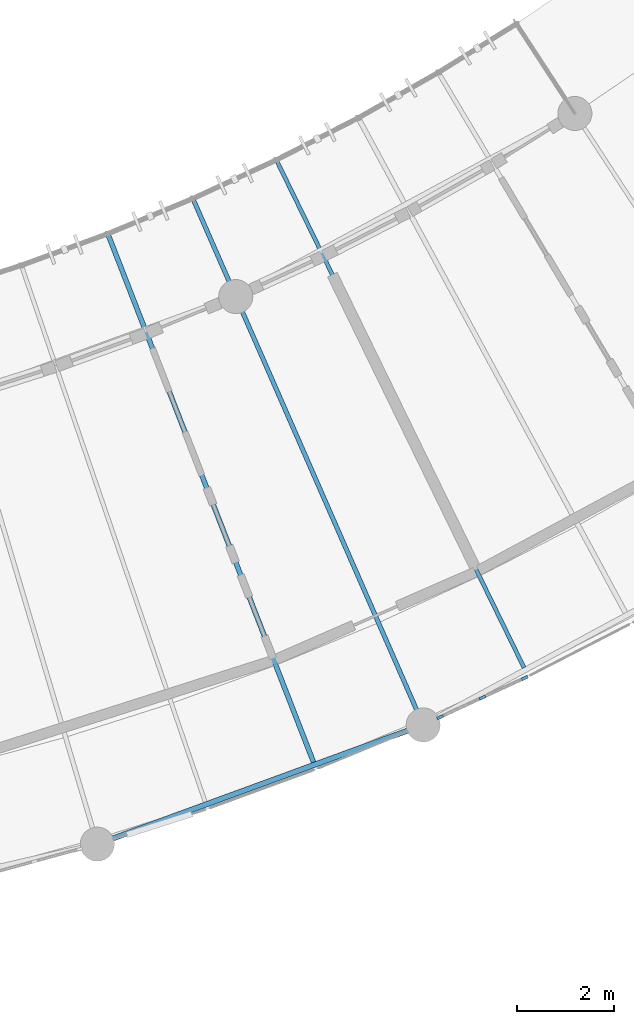
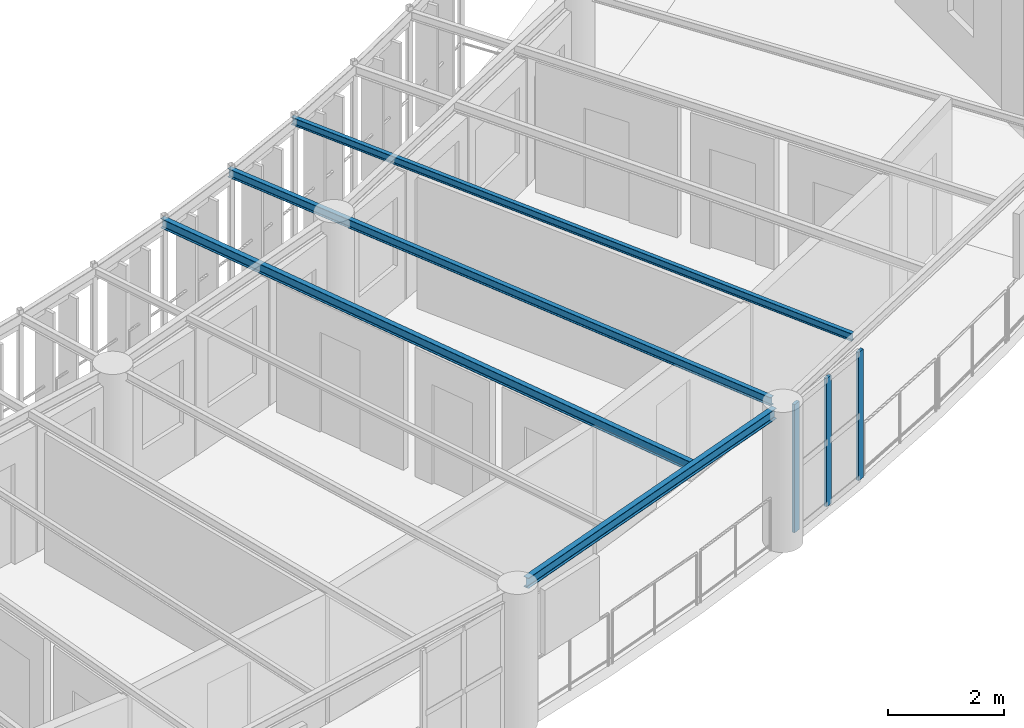
# One storey, part 17 of 123: 4 beams, 3 members, 1 element without a shape of its own.
"""IFC4 building model written with IfcOpenShell, lengths in metres."""

from ifc_helpers import new_model, si_unit, direction, frame, origin, origin_2d, place, context, subcontext, project, spatial, rectangle, i_section, extrude, material, layer, layer_set, material_profile, profile_set, type_object, element, aggregate, save


model = new_model("IFC4")

# Units and contexts
model_context = context("Model", 3, precision=1e-05, world=origin(), true_north=direction((0.0, 1.0)))
body_context = subcontext(model_context, "Body", "Model", "MODEL_VIEW")
ifc_project = project(units=[si_unit("LENGTHUNIT", "METRE"), si_unit("AREAUNIT", "SQUARE_METRE"), si_unit("VOLUMEUNIT", "CUBIC_METRE"), si_unit("PLANEANGLEUNIT", "RADIAN"), si_unit("MASSUNIT", "GRAM", prefix="KILO"), si_unit("POWERUNIT", "WATT"), si_unit("THERMODYNAMICTEMPERATUREUNIT", "KELVIN")], contexts=[model_context])

# Site, building, storey
site_placement = place(None, origin())
site = spatial("IfcSite", under=ifc_project, at=site_placement, CompositionType="ELEMENT")
building_placement = place(site_placement, origin())
building = spatial("IfcBuilding", under=site, at=building_placement, Name="Ruvembo Vaulted Housing Court", CompositionType="ELEMENT")
storey_placement = place(building_placement, frame((0.0, 0.0, 7.699951171875)))
storey = spatial("IfcBuildingStorey", under=building, at=storey_placement, Name="L02", CompositionType="ELEMENT", Elevation=7.699951171875)

# Beams
ifc_material_1 = material(Name="Steel S355J2", Category="steel")
ifc_material_profile_1 = material_profile(ifc_material_1, i_section(OverallWidth=0.08203125, OverallDepth=0.159912109375, WebThickness=0.0048828125, FlangeThickness=0.00732421875, FilletRadius=0.009033203125, at=origin_2d()), Name="IPE 160")
ifc_profile_set_1 = profile_set([ifc_material_profile_1], Name="Steel S355J2")
beam_type_1 = type_object("IfcBeamType", Name="BM-ST-IPE160", PredefinedType="JOIST", material=ifc_profile_set_1)
beam_1_placement = place(storey_placement, frame((94.163818359375, 10.406494140625, 2.860107421875), z_axis=(-0.438376534448, 0.898791418542, 0.0), x_axis=(-0.898791418542, -0.438376534448, 0.0)))
element("IfcBeam", 1, at=beam_1_placement, inside=storey, type_object=beam_type_1, Name="Scoop SC2 L02 Radial Steel Joist 25", PredefinedType="JOIST", context=body_context, shape_type="SweptSolid", body=[
    extrude(i_section(OverallWidth=0.08203125, OverallDepth=0.159912109375, WebThickness=0.0048828125, FlangeThickness=0.00732421875, FilletRadius=0.009033203125, at=origin_2d()), origin(), (0.0, 0.0, 1.0), 11.64306640625),
])
ifc_material_profile_2 = material_profile(ifc_material_1, i_section(OverallWidth=0.091064453125, OverallDepth=0.179931640625, WebThickness=0.00537109375, FlangeThickness=0.008056640625, FilletRadius=0.009033203125, at=origin_2d()), Name="IPE 180")
ifc_profile_set_2 = profile_set([ifc_material_profile_2], Name="Steel S355J2")
beam_type_2 = type_object("IfcBeamType", Name="BM-ST-IPE180", PredefinedType="JOIST", material=ifc_profile_set_2)
beam_2_placement = place(storey_placement, frame((92.00146484375, 9.44287109375, 2.85009765625), z_axis=(-0.400930247874, 0.916108583269, 0.0), x_axis=(-0.916108583269, -0.400930247874, 0.0)))
element("IfcBeam", 2, at=beam_2_placement, inside=storey, type_object=beam_type_2, Name="Scoop SC2 L02 Radial Steel Joist 24", PredefinedType="JOIST", context=body_context, shape_type="SweptSolid", body=[
    extrude(i_section(OverallWidth=0.091064453125, OverallDepth=0.179931640625, WebThickness=0.00537109375, FlangeThickness=0.008056640625, FilletRadius=0.009033203125, at=origin_2d()), origin(), (0.0, 0.0, 1.0), 11.60986328125),
])
ifc_material_profile_3 = material_profile(ifc_material_1, i_section(OverallWidth=0.10009765625, OverallDepth=0.199951171875, WebThickness=0.005615234375, FlangeThickness=0.008544921875, FilletRadius=0.011962890625, at=origin_2d()), Name="IPE 200")
ifc_profile_set_3 = profile_set([ifc_material_profile_3], Name="Steel S355J2")
beam_type_3 = type_object("IfcBeamType", Name="BM-ST-IPE200", PredefinedType="BEAM", material=ifc_profile_set_3)
beam_3_placement = place(storey_placement, frame((89.843994140625, 8.462646484375, 2.840087890625), z_axis=(-0.362810002235, 0.93186313495, 0.0), x_axis=(-0.93186313495, -0.362810002235, 0.0)))
element("IfcBeam", 3, at=beam_3_placement, inside=storey, type_object=beam_type_3, Name="Scoop SC2 L02 Radial Steel Joist 23", PredefinedType="BEAM", context=body_context, shape_type="SweptSolid", body=[
    extrude(i_section(OverallWidth=0.10009765625, OverallDepth=0.199951171875, WebThickness=0.005615234375, FlangeThickness=0.008544921875, FilletRadius=0.011962890625, at=origin_2d()), origin(), (0.0, 0.0, 1.0), 11.69189453125),
])
ifc_material_profile_4 = material_profile(ifc_material_1, i_section(OverallWidth=0.110107421875, OverallDepth=0.219970703125, WebThickness=0.005859375, FlangeThickness=0.00927734375, FilletRadius=0.011962890625, at=origin_2d()), Name="IPE 220")
ifc_profile_set_4 = profile_set([ifc_material_profile_4], Name="Steel S355J2")
beam_type_4 = type_object("IfcBeamType", Name="BM-ST-IPE220", PredefinedType="SPANDREL", material=ifc_profile_set_4)
beam_4_placement = place(storey_placement, frame((85.619140625, 6.864013671875, 2.83203125), z_axis=(0.939142455979, 0.343527942645, 0.0), x_axis=(-0.343527942645, 0.939142455979, 0.0)))
element("IfcBeam", 4, at=beam_4_placement, inside=storey, type_object=beam_type_4, Name="Scoop SC2 L02 Chord Girder B21", PredefinedType="SPANDREL", context=body_context, shape_type="SweptSolid", body=[
    extrude(i_section(OverallWidth=0.110107421875, OverallDepth=0.219970703125, WebThickness=0.005859375, FlangeThickness=0.00927734375, FilletRadius=0.011962890625, at=origin_2d()), origin(), (0.0, 0.0, 1.0), 6.6640625),
])

# Curtain wall, members
ifc_material_2 = material(Name="Anodised Aluminium and Solar-Control Glass", Category="aluminium")
ifc_layer = layer(ifc_material_2, 0.139892578125, Name="Anodised Aluminium and Solar-Control Glass")
ifc_layer_set = layer_set([ifc_layer], Name="Anodised Aluminium and Solar-Control Glass")
curtain_wall_type = type_object("IfcCurtainWallType", Name="CW-SCOOP-PAN", PredefinedType="NOTDEFINED", material=ifc_layer_set)
curtain_wall_placement = place(storey_placement, origin())
curtain_wall = element("IfcCurtainWall", 5, at=curtain_wall_placement, inside=storey, type_object=curtain_wall_type, Name="L02 Curtain Wall CW-L02-0040", PredefinedType="NOTDEFINED")
ifc_material_3 = material(Name="Anodised Aluminium 6063-T6", Category="aluminium")
ifc_material_profile_5 = material_profile(ifc_material_3, rectangle(XDim=0.06005859375, YDim=0.139892578125, at=origin_2d()), Name="ALU 60x140")
ifc_profile_set_5 = profile_set([ifc_material_profile_5], Name="Anodised Aluminium 6063-T6")
member_type = type_object("IfcMemberType", Name="CW-MUL-60x140", PredefinedType="MULLION", material=ifc_profile_set_5)
member_1_placement = place(storey_placement, frame((92.4384765625, 9.3916015625, 0.0), z_axis=(0.0, 0.0, 1.0), x_axis=(-0.419738421805, 0.907645116365, 0.0)))
member_1 = element("IfcMember", 6, at=member_1_placement, type_object=member_type, Name="CW10 mullion 1", PredefinedType="MULLION", context=body_context, shape_type="SweptSolid", body=[
    extrude(rectangle(XDim=0.06005859375, YDim=0.139892578125, at=origin_2d()), origin(), (0.0, 0.0, 1.0), 2.697998046875),
])
member_2_placement = place(storey_placement, frame((93.30810546875, 9.793701171875, 0.0), z_axis=(0.0, 0.0, 1.0), x_axis=(-0.419738421805, 0.907645116365, 0.0)))
member_2 = element("IfcMember", 7, at=member_2_placement, type_object=member_type, Name="CW10 mullion 2", PredefinedType="MULLION", context=body_context, shape_type="SweptSolid", body=[
    extrude(rectangle(XDim=0.06005859375, YDim=0.139892578125, at=origin_2d()), origin(), (0.0, 0.0, 1.0), 2.697998046875),
])
member_3_placement = place(storey_placement, frame((94.177490234375, 10.19580078125, 0.0), z_axis=(0.0, 0.0, 1.0), x_axis=(-0.419738421805, 0.907645116365, 0.0)))
member_3 = element("IfcMember", 8, at=member_3_placement, type_object=member_type, Name="CW10 mullion 3", PredefinedType="MULLION", context=body_context, shape_type="SweptSolid", body=[
    extrude(rectangle(XDim=0.06005859375, YDim=0.139892578125, at=origin_2d()), origin(), (0.0, 0.0, 1.0), 2.697998046875),
])
aggregate(curtain_wall, [member_1, member_2, member_3])

save(model, "model.ifc")
